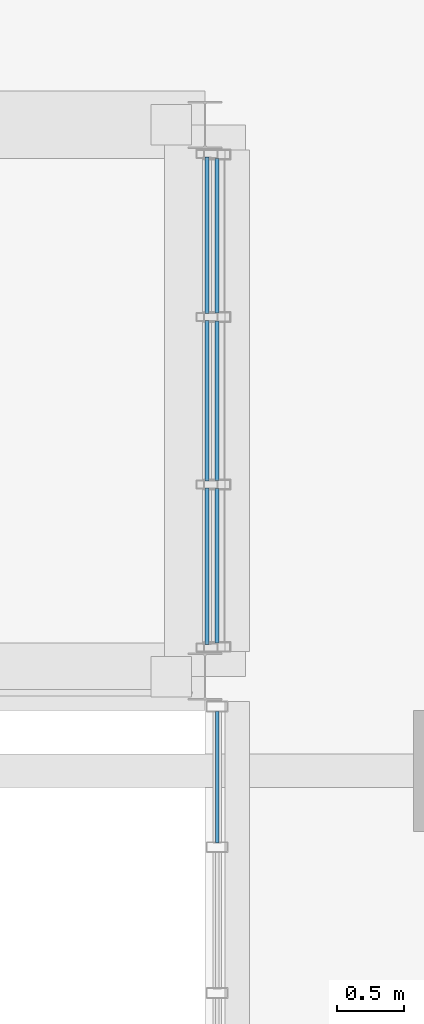
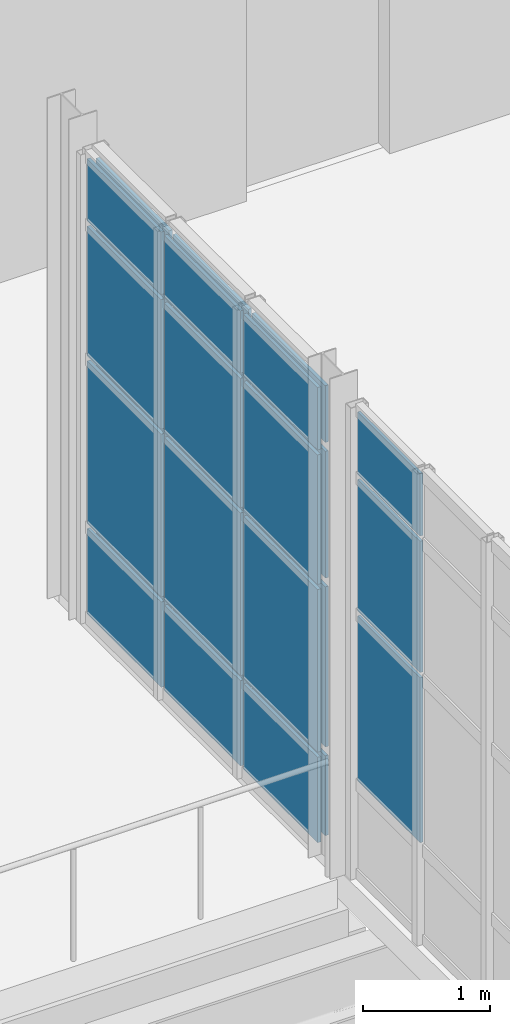
# One storey, part 89 of 127: 27 plates, 3 elements without a shape of their own.
"""IFC4 building model written with IfcOpenShell, lengths in metres."""

from ifc_helpers import new_model, si_unit, derived_unit, direction, frame, origin, origin_2d, place, context, subcontext, project, spatial, rectangle, extrude, material, layer, layer_set, type_object, element, aggregate, save


model = new_model("IFC4")

# Units and contexts
model_context = context("Model", 3, precision=1e-05, world=origin(), true_north=direction((0.0, 1.0)))
body_context = subcontext(model_context, "Body", "Model", "MODEL_VIEW")
ifc_project = project(units=[si_unit("LENGTHUNIT", "METRE"), si_unit("AREAUNIT", "SQUARE_METRE"), si_unit("VOLUMEUNIT", "CUBIC_METRE"), si_unit("PLANEANGLEUNIT", "RADIAN"), si_unit("MASSUNIT", "GRAM", prefix="KILO"), derived_unit("THERMALTRANSMITTANCEUNIT", [(si_unit("POWERUNIT", "WATT"), 1), (si_unit("LENGTHUNIT", "METRE"), -2), (si_unit("THERMODYNAMICTEMPERATUREUNIT", "KELVIN"), -1)])], contexts=[model_context])

# Site, building, storey
site_placement = place(None, origin())
site = spatial("IfcSite", under=ifc_project, at=site_placement, CompositionType="ELEMENT")
building_placement = place(site_placement, origin())
building = spatial("IfcBuilding", under=site, at=building_placement, Name="Nallur Shell Playhouse", CompositionType="ELEMENT")
storey_placement = place(building_placement, frame((0.0, 0.0, 5.39990234375)))
storey = spatial("IfcBuildingStorey", under=building, at=storey_placement, Name="L02", CompositionType="ELEMENT", Elevation=5.39990234375)

# Curtain wall, plates
ifc_material_1 = material(Name="Anodised Aluminium Double-Glazed Facade System", Category="aluminium")
ifc_layer_1 = layer(ifc_material_1, 0.179931640625)
ifc_layer_set_1 = layer_set([ifc_layer_1], Name="Anodised Aluminium Double-Glazed Facade System")
curtain_wall_type_1 = type_object("IfcCurtainWallType", Name="CW-UNIT-17", PredefinedType="NOTDEFINED", material=ifc_layer_set_1)
curtain_wall_1_placement = place(storey_placement, origin())
curtain_wall_1 = element("IfcCurtainWall", 1, at=curtain_wall_1_placement, inside=storey, type_object=curtain_wall_type_1, Name="Unitised curtain wall CW-017 (L02)", PredefinedType="NOTDEFINED")
ifc_material_2 = material(Name="Solar-Control Low-E Laminated Insulating Glass", Category="glass")
ifc_layer_2 = layer(ifc_material_2, 0.02587890625)
ifc_layer_set_2 = layer_set([ifc_layer_2], Name="Solar-Control Low-E Laminated Insulating Glass")
plate_type_1 = type_object("IfcPlateType", Name="PT-GLZ-01", PredefinedType="CURTAIN_PANEL", material=ifc_layer_set_2)
plate_1_placement = place(storey_placement, frame((54.090087890625, 64.954833984375, 0.924560546875), z_axis=(0.0, 0.0, 1.0), x_axis=(0.0, 1.0, 0.0)))
plate_1 = element("IfcPlate", 2, at=plate_1_placement, type_object=plate_type_1, Name="CW-17 panel 3.2", PredefinedType="CURTAIN_PANEL", context=body_context, shape_type="SweptSolid", body=[
    extrude(rectangle(XDim=0.98046875, YDim=0.02587890625, at=origin_2d()), origin(), (0.0, 0.0, 1.0), 1.58203125),
])
plate_2_placement = place(storey_placement, frame((54.090087890625, 64.954833984375, 2.5556640625), z_axis=(0.0, 0.0, 1.0), x_axis=(0.0, 1.0, 0.0)))
plate_2 = element("IfcPlate", 3, at=plate_2_placement, type_object=plate_type_1, Name="CW-17 panel 3.3", PredefinedType="CURTAIN_PANEL", context=body_context, shape_type="SweptSolid", body=[
    extrude(rectangle(XDim=0.98046875, YDim=0.02587890625, at=origin_2d()), origin(), (0.0, 0.0, 1.0), 1.260009765625),
])
plate_3_placement = place(storey_placement, frame((54.090087890625, 64.954833984375, 3.86474609375), z_axis=(0.0, 0.0, 1.0), x_axis=(0.0, 1.0, 0.0)))
plate_3 = element("IfcPlate", 4, at=plate_3_placement, type_object=plate_type_1, Name="CW-17 panel 3.4", PredefinedType="CURTAIN_PANEL", context=body_context, shape_type="SweptSolid", body=[
    extrude(rectangle(XDim=0.98046875, YDim=0.02587890625, at=origin_2d()), origin(), (0.0, 0.0, 1.0), 0.598388671875),
])
aggregate(curtain_wall_1, [plate_1, plate_2, plate_3])

ifc_layer_3 = layer(ifc_material_1, 0.159912109375)
ifc_layer_set_3 = layer_set([ifc_layer_3], Name="Anodised Aluminium Double-Glazed Facade System")
curtain_wall_type_2 = type_object("IfcCurtainWallType", Name="CW-UNIT-18", PredefinedType="NOTDEFINED", material=ifc_layer_set_3)
curtain_wall_2_placement = place(storey_placement, origin())
curtain_wall_2 = element("IfcCurtainWall", 5, at=curtain_wall_2_placement, inside=storey, type_object=curtain_wall_type_2, Name="Unitised curtain wall CW-018 (L02)", PredefinedType="NOTDEFINED")
ifc_layer_4 = layer(ifc_material_2, 0.028076171875)
ifc_layer_set_4 = layer_set([ifc_layer_4], Name="Solar-Control Low-E Laminated Insulating Glass")
plate_type_2 = type_object("IfcPlateType", Name="PT-GLZ-02", PredefinedType="CURTAIN_PANEL", material=ifc_layer_set_4)
plate_4_placement = place(storey_placement, frame((54.090087890625, 66.524169921875, 0.092041015625), z_axis=(0.0, 0.0, 1.0), x_axis=(0.0, 1.0, 0.0)))
plate_4 = element("IfcPlate", 6, at=plate_4_placement, type_object=plate_type_2, Name="CW-18 panel 1.1", PredefinedType="CURTAIN_PANEL", context=body_context, shape_type="SweptSolid", body=[
    extrude(rectangle(XDim=1.148193359375, YDim=0.028076171875, at=origin_2d()), origin(), (0.0, 0.0, 1.0), 0.76611328125),
])
plate_5_placement = place(storey_placement, frame((54.090087890625, 66.524169921875, 0.9423828125), z_axis=(0.0, 0.0, 1.0), x_axis=(0.0, 1.0, 0.0)))
plate_5 = element("IfcPlate", 7, at=plate_5_placement, type_object=plate_type_2, Name="CW-18 panel 1.2", PredefinedType="CURTAIN_PANEL", context=body_context, shape_type="SweptSolid", body=[
    extrude(rectangle(XDim=1.148193359375, YDim=0.028076171875, at=origin_2d()), origin(), (0.0, 0.0, 1.0), 1.535888671875),
])
plate_6_placement = place(storey_placement, frame((54.090087890625, 66.524169921875, 2.56201171875), z_axis=(0.0, 0.0, 1.0), x_axis=(0.0, 1.0, 0.0)))
plate_6 = element("IfcPlate", 8, at=plate_6_placement, type_object=plate_type_2, Name="CW-18 panel 1.3", PredefinedType="CURTAIN_PANEL", context=body_context, shape_type="SweptSolid", body=[
    extrude(rectangle(XDim=1.148193359375, YDim=0.028076171875, at=origin_2d()), origin(), (0.0, 0.0, 1.0), 1.216064453125),
])
plate_7_placement = place(storey_placement, frame((54.090087890625, 66.524169921875, 3.862060546875), z_axis=(0.0, 0.0, 1.0), x_axis=(0.0, 1.0, 0.0)))
plate_7 = element("IfcPlate", 9, at=plate_7_placement, type_object=plate_type_2, Name="CW-18 panel 1.4", PredefinedType="CURTAIN_PANEL", context=body_context, shape_type="SweptSolid", body=[
    extrude(rectangle(XDim=1.148193359375, YDim=0.028076171875, at=origin_2d()), origin(), (0.0, 0.0, 1.0), 0.5458984375),
])
plate_8_placement = place(storey_placement, frame((54.090087890625, 67.75, 0.092041015625), z_axis=(0.0, 0.0, 1.0), x_axis=(0.0, 1.0, 0.0)))
plate_8 = element("IfcPlate", 10, at=plate_8_placement, type_object=plate_type_2, Name="CW-18 panel 2.1", PredefinedType="CURTAIN_PANEL", context=body_context, shape_type="SweptSolid", body=[
    extrude(rectangle(XDim=1.185546875, YDim=0.028076171875, at=origin_2d()), origin(), (0.0, 0.0, 1.0), 0.76611328125),
])
plate_9_placement = place(storey_placement, frame((54.090087890625, 67.75, 0.9423828125), z_axis=(0.0, 0.0, 1.0), x_axis=(0.0, 1.0, 0.0)))
plate_9 = element("IfcPlate", 11, at=plate_9_placement, type_object=plate_type_2, Name="CW-18 panel 2.2", PredefinedType="CURTAIN_PANEL", context=body_context, shape_type="SweptSolid", body=[
    extrude(rectangle(XDim=1.185546875, YDim=0.028076171875, at=origin_2d()), origin(), (0.0, 0.0, 1.0), 1.535888671875),
])
plate_10_placement = place(storey_placement, frame((54.090087890625, 67.75, 2.56201171875), z_axis=(0.0, 0.0, 1.0), x_axis=(0.0, 1.0, 0.0)))
plate_10 = element("IfcPlate", 12, at=plate_10_placement, type_object=plate_type_2, Name="CW-18 panel 2.3", PredefinedType="CURTAIN_PANEL", context=body_context, shape_type="SweptSolid", body=[
    extrude(rectangle(XDim=1.185546875, YDim=0.028076171875, at=origin_2d()), origin(), (0.0, 0.0, 1.0), 1.216064453125),
])
plate_11_placement = place(storey_placement, frame((54.090087890625, 67.75, 3.862060546875), z_axis=(0.0, 0.0, 1.0), x_axis=(0.0, 1.0, 0.0)))
plate_11 = element("IfcPlate", 13, at=plate_11_placement, type_object=plate_type_2, Name="CW-18 panel 2.4", PredefinedType="CURTAIN_PANEL", context=body_context, shape_type="SweptSolid", body=[
    extrude(rectangle(XDim=1.185546875, YDim=0.028076171875, at=origin_2d()), origin(), (0.0, 0.0, 1.0), 0.5458984375),
])
plate_12_placement = place(storey_placement, frame((54.090087890625, 68.975830078125, 0.092041015625), z_axis=(0.0, 0.0, 1.0), x_axis=(0.0, 1.0, 0.0)))
plate_12 = element("IfcPlate", 14, at=plate_12_placement, type_object=plate_type_2, Name="CW-18 panel 3.1", PredefinedType="CURTAIN_PANEL", context=body_context, shape_type="SweptSolid", body=[
    extrude(rectangle(XDim=1.148193359375, YDim=0.028076171875, at=origin_2d()), origin(), (0.0, 0.0, 1.0), 0.76611328125),
])
plate_13_placement = place(storey_placement, frame((54.090087890625, 68.975830078125, 0.9423828125), z_axis=(0.0, 0.0, 1.0), x_axis=(0.0, 1.0, 0.0)))
plate_13 = element("IfcPlate", 15, at=plate_13_placement, type_object=plate_type_2, Name="CW-18 panel 3.2", PredefinedType="CURTAIN_PANEL", context=body_context, shape_type="SweptSolid", body=[
    extrude(rectangle(XDim=1.148193359375, YDim=0.028076171875, at=origin_2d()), origin(), (0.0, 0.0, 1.0), 1.535888671875),
])
plate_14_placement = place(storey_placement, frame((54.090087890625, 68.975830078125, 2.56201171875), z_axis=(0.0, 0.0, 1.0), x_axis=(0.0, 1.0, 0.0)))
plate_14 = element("IfcPlate", 16, at=plate_14_placement, type_object=plate_type_2, Name="CW-18 panel 3.3", PredefinedType="CURTAIN_PANEL", context=body_context, shape_type="SweptSolid", body=[
    extrude(rectangle(XDim=1.148193359375, YDim=0.028076171875, at=origin_2d()), origin(), (0.0, 0.0, 1.0), 1.216064453125),
])
plate_15_placement = place(storey_placement, frame((54.090087890625, 68.975830078125, 3.862060546875), z_axis=(0.0, 0.0, 1.0), x_axis=(0.0, 1.0, 0.0)))
plate_15 = element("IfcPlate", 17, at=plate_15_placement, type_object=plate_type_2, Name="CW-18 panel 3.4", PredefinedType="CURTAIN_PANEL", context=body_context, shape_type="SweptSolid", body=[
    extrude(rectangle(XDim=1.148193359375, YDim=0.028076171875, at=origin_2d()), origin(), (0.0, 0.0, 1.0), 0.5458984375),
])
aggregate(curtain_wall_2, [plate_4, plate_5, plate_6, plate_7, plate_8, plate_9, plate_10, plate_11, plate_12, plate_13, plate_14, plate_15])

ifc_layer_5 = layer(ifc_material_1, 0.1640625)
ifc_layer_set_5 = layer_set([ifc_layer_5], Name="Anodised Aluminium Double-Glazed Facade System")
curtain_wall_type_3 = type_object("IfcCurtainWallType", Name="CW-UNIT-19", PredefinedType="NOTDEFINED", material=ifc_layer_set_5)
curtain_wall_3_placement = place(storey_placement, origin())
curtain_wall_3 = element("IfcCurtainWall", 18, at=curtain_wall_3_placement, inside=storey, type_object=curtain_wall_type_3, Name="Unitised curtain wall CW-019 (L02)", PredefinedType="NOTDEFINED")
ifc_layer_6 = layer(ifc_material_2, 0.030029296875)
ifc_layer_set_6 = layer_set([ifc_layer_6], Name="Solar-Control Low-E Laminated Insulating Glass")
plate_type_3 = type_object("IfcPlateType", Name="PT-GLZ-03", PredefinedType="CURTAIN_PANEL", material=ifc_layer_set_6)
plate_16_placement = place(storey_placement, frame((54.014892578125, 68.978515625, 0.05712890625), z_axis=(0.0, 0.0, 1.0), x_axis=(0.0, -1.0, 0.0)))
plate_16 = element("IfcPlate", 19, at=plate_16_placement, type_object=plate_type_3, Name="CW-19 panel 1.1", PredefinedType="CURTAIN_PANEL", context=body_context, shape_type="SweptSolid", body=[
    extrude(rectangle(XDim=1.1630859375, YDim=0.030029296875, at=origin_2d()), origin(), (0.0, 0.0, 1.0), 0.818603515625),
])
plate_17_placement = place(storey_placement, frame((54.014892578125, 68.978515625, 0.924560546875), z_axis=(0.0, 0.0, 1.0), x_axis=(0.0, -1.0, 0.0)))
plate_17 = element("IfcPlate", 20, at=plate_17_placement, type_object=plate_type_3, Name="CW-19 panel 1.2", PredefinedType="CURTAIN_PANEL", context=body_context, shape_type="SweptSolid", body=[
    extrude(rectangle(XDim=1.1630859375, YDim=0.030029296875, at=origin_2d()), origin(), (0.0, 0.0, 1.0), 1.56005859375),
])
plate_18_placement = place(storey_placement, frame((54.014892578125, 68.978515625, 2.53369140625), z_axis=(0.0, 0.0, 1.0), x_axis=(0.0, -1.0, 0.0)))
plate_18 = element("IfcPlate", 21, at=plate_18_placement, type_object=plate_type_3, Name="CW-19 panel 1.3", PredefinedType="CURTAIN_PANEL", context=body_context, shape_type="SweptSolid", body=[
    extrude(rectangle(XDim=1.1630859375, YDim=0.030029296875, at=origin_2d()), origin(), (0.0, 0.0, 1.0), 1.241943359375),
])
plate_19_placement = place(storey_placement, frame((54.014892578125, 68.978515625, 3.82470703125), z_axis=(0.0, 0.0, 1.0), x_axis=(0.0, -1.0, 0.0)))
plate_19 = element("IfcPlate", 22, at=plate_19_placement, type_object=plate_type_3, Name="CW-19 panel 1.4", PredefinedType="CURTAIN_PANEL", context=body_context, shape_type="SweptSolid", body=[
    extrude(rectangle(XDim=1.1630859375, YDim=0.030029296875, at=origin_2d()), origin(), (0.0, 0.0, 1.0), 0.598388671875),
])
plate_20_placement = place(storey_placement, frame((54.014892578125, 67.75, 0.05712890625), z_axis=(0.0, 0.0, 1.0), x_axis=(0.0, -1.0, 0.0)))
plate_20 = element("IfcPlate", 23, at=plate_20_placement, type_object=plate_type_3, Name="CW-19 panel 2.1", PredefinedType="CURTAIN_PANEL", context=body_context, shape_type="SweptSolid", body=[
    extrude(rectangle(XDim=1.195556640625, YDim=0.030029296875, at=origin_2d()), origin(), (0.0, 0.0, 1.0), 0.818603515625),
])
plate_21_placement = place(storey_placement, frame((54.014892578125, 67.75, 0.924560546875), z_axis=(0.0, 0.0, 1.0), x_axis=(0.0, -1.0, 0.0)))
plate_21 = element("IfcPlate", 24, at=plate_21_placement, type_object=plate_type_3, Name="CW-19 panel 2.2", PredefinedType="CURTAIN_PANEL", context=body_context, shape_type="SweptSolid", body=[
    extrude(rectangle(XDim=1.195556640625, YDim=0.030029296875, at=origin_2d()), origin(), (0.0, 0.0, 1.0), 1.56005859375),
])
plate_22_placement = place(storey_placement, frame((54.014892578125, 67.75, 2.53369140625), z_axis=(0.0, 0.0, 1.0), x_axis=(0.0, -1.0, 0.0)))
plate_22 = element("IfcPlate", 25, at=plate_22_placement, type_object=plate_type_3, Name="CW-19 panel 2.3", PredefinedType="CURTAIN_PANEL", context=body_context, shape_type="SweptSolid", body=[
    extrude(rectangle(XDim=1.195556640625, YDim=0.030029296875, at=origin_2d()), origin(), (0.0, 0.0, 1.0), 1.241943359375),
])
plate_23_placement = place(storey_placement, frame((54.014892578125, 67.75, 3.82470703125), z_axis=(0.0, 0.0, 1.0), x_axis=(0.0, -1.0, 0.0)))
plate_23 = element("IfcPlate", 26, at=plate_23_placement, type_object=plate_type_3, Name="CW-19 panel 2.4", PredefinedType="CURTAIN_PANEL", context=body_context, shape_type="SweptSolid", body=[
    extrude(rectangle(XDim=1.195556640625, YDim=0.030029296875, at=origin_2d()), origin(), (0.0, 0.0, 1.0), 0.598388671875),
])
plate_24_placement = place(storey_placement, frame((54.014892578125, 66.521484375, 0.05712890625), z_axis=(0.0, 0.0, 1.0), x_axis=(0.0, -1.0, 0.0)))
plate_24 = element("IfcPlate", 27, at=plate_24_placement, type_object=plate_type_3, Name="CW-19 panel 3.1", PredefinedType="CURTAIN_PANEL", context=body_context, shape_type="SweptSolid", body=[
    extrude(rectangle(XDim=1.1630859375, YDim=0.030029296875, at=origin_2d()), origin(), (0.0, 0.0, 1.0), 0.818603515625),
])
plate_25_placement = place(storey_placement, frame((54.014892578125, 66.521484375, 0.924560546875), z_axis=(0.0, 0.0, 1.0), x_axis=(0.0, -1.0, 0.0)))
plate_25 = element("IfcPlate", 28, at=plate_25_placement, type_object=plate_type_3, Name="CW-19 panel 3.2", PredefinedType="CURTAIN_PANEL", context=body_context, shape_type="SweptSolid", body=[
    extrude(rectangle(XDim=1.1630859375, YDim=0.030029296875, at=origin_2d()), origin(), (0.0, 0.0, 1.0), 1.56005859375),
])
plate_26_placement = place(storey_placement, frame((54.014892578125, 66.521484375, 2.53369140625), z_axis=(0.0, 0.0, 1.0), x_axis=(0.0, -1.0, 0.0)))
plate_26 = element("IfcPlate", 29, at=plate_26_placement, type_object=plate_type_3, Name="CW-19 panel 3.3", PredefinedType="CURTAIN_PANEL", context=body_context, shape_type="SweptSolid", body=[
    extrude(rectangle(XDim=1.1630859375, YDim=0.030029296875, at=origin_2d()), origin(), (0.0, 0.0, 1.0), 1.241943359375),
])
plate_27_placement = place(storey_placement, frame((54.014892578125, 66.521484375, 3.82470703125), z_axis=(0.0, 0.0, 1.0), x_axis=(0.0, -1.0, 0.0)))
plate_27 = element("IfcPlate", 30, at=plate_27_placement, type_object=plate_type_3, Name="CW-19 panel 3.4", PredefinedType="CURTAIN_PANEL", context=body_context, shape_type="SweptSolid", body=[
    extrude(rectangle(XDim=1.1630859375, YDim=0.030029296875, at=origin_2d()), origin(), (0.0, 0.0, 1.0), 0.598388671875),
])
aggregate(curtain_wall_3, [plate_16, plate_17, plate_18, plate_19, plate_20, plate_21, plate_22, plate_23, plate_24, plate_25, plate_26, plate_27])

save(model, "model.ifc")
